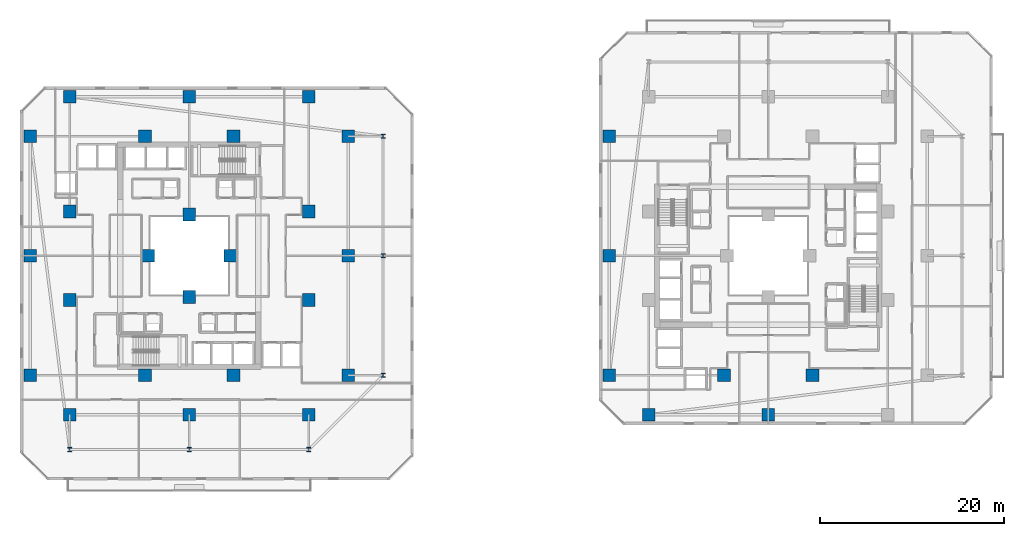
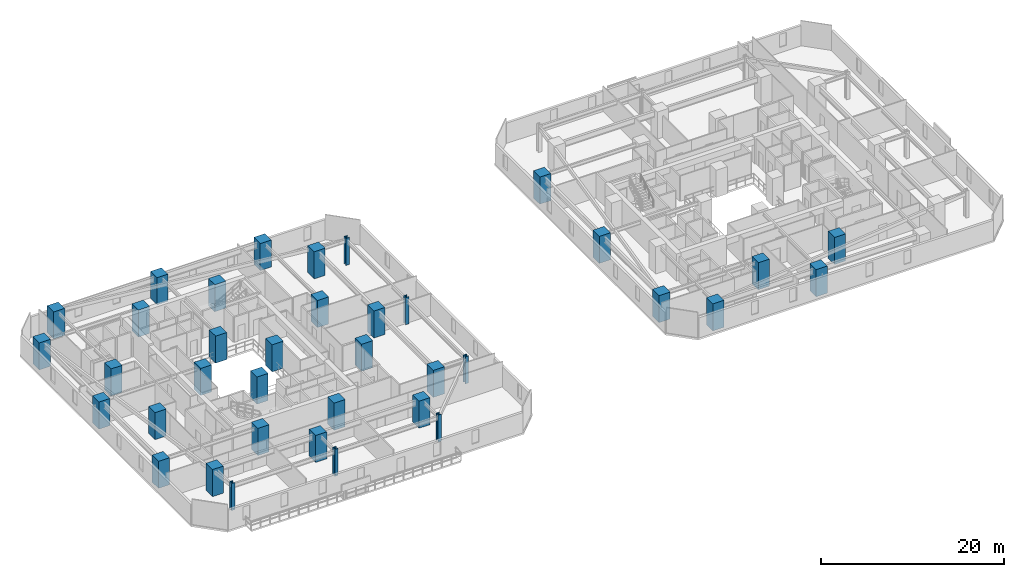
# One storey, part 1 of 35: 37 columns.
"""IFC4 building model written with IfcOpenShell, lengths in metres."""

from ifc_helpers import new_model, si_unit, direction, frame, origin, origin_2d, place, context, subcontext, project, spatial, rectangle, i_section, extrude, material, material_profile, profile_set, type_object, element, save


model = new_model("IFC4")

# Units and contexts
model_context = context("Model", 3, precision=1e-05, world=origin(), true_north=direction((0.0, 1.0)))
body_context = subcontext(model_context, "Body", "Model", "MODEL_VIEW")
ifc_project = project(units=[si_unit("LENGTHUNIT", "METRE"), si_unit("AREAUNIT", "SQUARE_METRE"), si_unit("VOLUMEUNIT", "CUBIC_METRE"), si_unit("PLANEANGLEUNIT", "RADIAN"), si_unit("MASSUNIT", "GRAM", prefix="KILO")], contexts=[model_context])

# Site, building, storey
site_placement = place(None, origin())
site = spatial("IfcSite", under=ifc_project, at=site_placement, CompositionType="ELEMENT")
building_placement = place(site_placement, origin())
building = spatial("IfcBuilding", under=site, at=building_placement, Name="Thornwick Lancets Civic Towers", CompositionType="ELEMENT")
storey_placement = place(building_placement, frame((0.0, 0.0, 64.5)))
storey = spatial("IfcBuildingStorey", under=building, at=storey_placement, Name="L16", CompositionType="ELEMENT", Elevation=64.5)

# Columns
ifc_material_1 = material(Name="Concrete C60/75", Category="concrete")
ifc_material_profile_1 = material_profile(ifc_material_1, rectangle(XDim=1.39990234375, YDim=1.39990234375, at=origin_2d()), Name="RC 1400x1400")
ifc_profile_set_1 = profile_set([ifc_material_profile_1], Name="Concrete C60/75")
column_type_1 = type_object("IfcColumnType", Name="COL_RC_1400", PredefinedType="COLUMN", material=ifc_profile_set_1)
for number, where, z_axis, x_axis, name in (
    (1, (12.5, 9.699951171875, 0.0), (0.0, 0.0, 1.0), (1.0, 0.0, 0.0), "L16 Spine Mega-Column A01"),
    (2, (25.5, 9.699951171875, 0.0), (0.0, 0.0, 1.0), (1.0, 0.0, 0.0), "L16 Spine Mega-Column A02"),
    (3, (38.5, 9.699951171875, 0.0), (0.0, 0.0, 1.0), (1.0, 0.0, 0.0), "L16 Spine Mega-Column A03"),
    (4, (42.800048828125, 14.0, 0.0), (0.0, 0.0, 1.0), (1.0, 0.0, 0.0), "L16 Spine Mega-Column A04"),
    (5, (42.800048828125, 27.0, 0.0), (0.0, 0.0, 1.0), (1.0, 0.0, 0.0), "L16 Spine Mega-Column A05"),
    (6, (42.800048828125, 40.0, 0.0), (0.0, 0.0, 1.0), (1.0, 0.0, 0.0), "L16 Spine Mega-Column A06"),
    (7, (12.5, 44.300048828125, 0.0), (0.0, 0.0, 1.0), (1.0, 0.0, 0.0), "L16 Spine Mega-Column A07"),
    (8, (25.5, 44.300048828125, 0.0), (0.0, 0.0, 1.0), (1.0, 0.0, 0.0), "L16 Spine Mega-Column A08"),
    (9, (38.5, 44.300048828125, 0.0), (0.0, 0.0, 1.0), (1.0, 0.0, 0.0), "L16 Spine Mega-Column A09"),
    (10, (8.199951171875, 14.0, 0.0), (0.0, 0.0, 1.0), (1.0, 0.0, 0.0), "L16 Spine Mega-Column A10"),
    (11, (8.199951171875, 27.0, 0.0), (0.0, 0.0, 1.0), (1.0, 0.0, 0.0), "L16 Spine Mega-Column A11"),
    (12, (8.199951171875, 40.0, 0.0), (0.0, 0.0, 1.0), (1.0, 0.0, 0.0), "L16 Spine Mega-Column A12"),
    (13, (12.5, 22.199951171875, 0.0), (0.0, 0.0, 1.0), (1.0, 0.0, 0.0), "L16 Spine Mega-Column A13"),
    (14, (38.5, 22.199951171875, 0.0), (0.0, 0.0, 1.0), (1.0, 0.0, 0.0), "L16 Spine Mega-Column A14"),
    (15, (12.5, 31.800048828125, 0.0), (0.0, 0.0, 1.0), (1.0, 0.0, 0.0), "L16 Spine Mega-Column A15"),
    (16, (38.5, 31.800048828125, 0.0), (0.0, 0.0, 1.0), (1.0, 0.0, 0.0), "L16 Spine Mega-Column A16"),
    (17, (20.699951171875, 14.0, 0.0), (0.0, 0.0, 1.0), (1.0, 0.0, 0.0), "L16 Spine Mega-Column A17"),
    (18, (30.300048828125, 14.0, 0.0), (0.0, 0.0, 1.0), (1.0, 0.0, 0.0), "L16 Spine Mega-Column A18"),
    (19, (20.699951171875, 40.0, 0.0), (0.0, 0.0, 1.0), (1.0, 0.0, 0.0), "L16 Spine Mega-Column A19"),
    (20, (30.300048828125, 40.0, 0.0), (0.0, 0.0, 1.0), (1.0, 0.0, 0.0), "L16 Spine Mega-Column A20"),
    (21, (25.5, 22.5, 0.0), (0.0, 0.0, 1.0), (1.0, 0.0, 0.0), "L16 Spine Mega-Column A21"),
    (22, (25.5, 31.5, 0.0), (0.0, 0.0, 1.0), (1.0, 0.0, 0.0), "L16 Spine Mega-Column A22"),
    (23, (21.0, 27.0, 0.0), (0.0, 0.0, 1.0), (1.0, 0.0, 0.0), "L16 Spine Mega-Column A23"),
    (24, (30.0, 27.0, 0.0), (0.0, 0.0, 1.0), (1.0, 0.0, 0.0), "L16 Spine Mega-Column A24"),
    (25, (71.199951171875, 14.0, 0.0), (0.0, 0.0, 1.0), (1.0, 0.0, 0.0), "L16 Spine Mega-Column B07"),
    (26, (71.199951171875, 27.0, 0.0), (0.0, 0.0, 1.0), (1.0, 0.0, 0.0), "L16 Spine Mega-Column B08"),
    (27, (71.199951171875, 40.0, 0.0), (0.0, 0.0, 1.0), (1.0, 0.0, 0.0), "L16 Spine Mega-Column B09"),
    (28, (88.5, 9.699951171875, 0.0), (0.0, 0.0, 1.0), (1.0, 0.0, 0.0), "L16 Spine Mega-Column B11"),
    (29, (75.5, 9.699951171875, 0.0), (0.0, 0.0, 1.0), (1.0, 0.0, 0.0), "L16 Spine Mega-Column B12"),
    (30, (93.300048828125, 14.0, 0.0), (0.0, 0.0, 1.0), (1.0, 0.0, 0.0), "L16 Spine Mega-Column B13"),
    (31, (83.699951171875, 14.0, 0.0), (0.0, 0.0, 1.0), (1.0, 0.0, 0.0), "L16 Spine Mega-Column B15"),
):
    element("IfcColumn", number, at=place(storey_placement, frame(where, z_axis=z_axis, x_axis=x_axis)), inside=storey, type_object=column_type_1, Name=name, PredefinedType="COLUMN", context=body_context, shape_type="SweptSolid", body=[
        extrude(rectangle(XDim=1.39990234375, YDim=1.39990234375, at=origin_2d()), origin(), (0.0, 0.0, 1.0), 3.60009765625),
    ])
ifc_material_2 = material(Name="Steel S460M", Category="steel")
ifc_material_profile_2 = material_profile(ifc_material_2, i_section(OverallWidth=0.424072265625, OverallDepth=0.474609375, WebThickness=0.047607421875, FlangeThickness=0.076904296875, FilletRadius=0.01513671875, at=origin_2d()), Name="UKC 356x406x634")
ifc_profile_set_2 = profile_set([ifc_material_profile_2], Name="Steel S460M")
column_type_2 = type_object("IfcColumnType", Name="COL_UKC_634", PredefinedType="COLUMN", material=ifc_profile_set_2)
for number, where, z_axis, x_axis, name in (
    (32, (12.5, 5.89990234375, 0.0), (0.0, 0.0, 1.0), (1.0, 0.0, 0.0), "L16 Block Perimeter Column A01"),
    (33, (25.5, 5.89990234375, 0.0), (0.0, 0.0, 1.0), (1.0, 0.0, 0.0), "L16 Block Perimeter Column A02"),
    (34, (38.5, 5.89990234375, 0.0), (0.0, 0.0, 1.0), (1.0, 0.0, 0.0), "L16 Block Perimeter Column A03"),
    (35, (46.60009765625, 14.0, 0.0), (0.0, 0.0, 1.0), (1.0, 0.0, 0.0), "L16 Block Perimeter Column A04"),
    (36, (46.60009765625, 27.0, 0.0), (0.0, 0.0, 1.0), (1.0, 0.0, 0.0), "L16 Block Perimeter Column A05"),
    (37, (46.60009765625, 40.0, 0.0), (0.0, 0.0, 1.0), (1.0, 0.0, 0.0), "L16 Block Perimeter Column A06"),
):
    element("IfcColumn", number, at=place(storey_placement, frame(where, z_axis=z_axis, x_axis=x_axis)), inside=storey, type_object=column_type_2, Name=name, PredefinedType="COLUMN", context=body_context, shape_type="SweptSolid", body=[
        extrude(i_section(OverallWidth=0.424072265625, OverallDepth=0.474609375, WebThickness=0.047607421875, FlangeThickness=0.076904296875, FilletRadius=0.01513671875, at=origin_2d()), origin(), (0.0, 0.0, 1.0), 3.60009765625),
    ])

save(model, "model.ifc")
